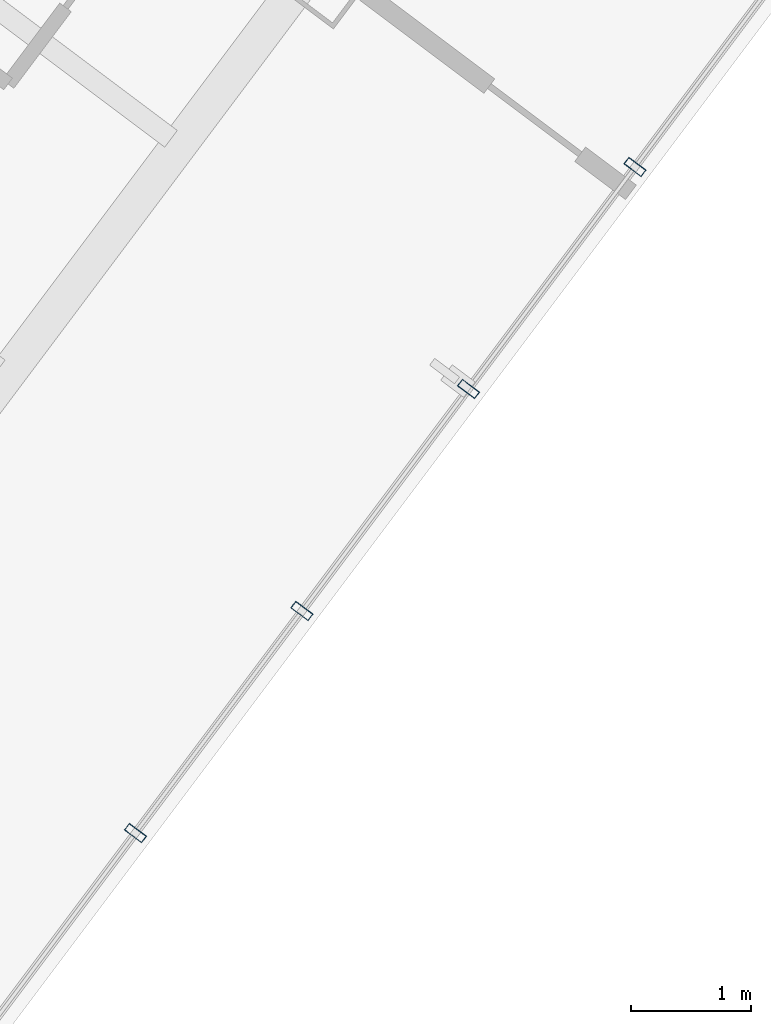
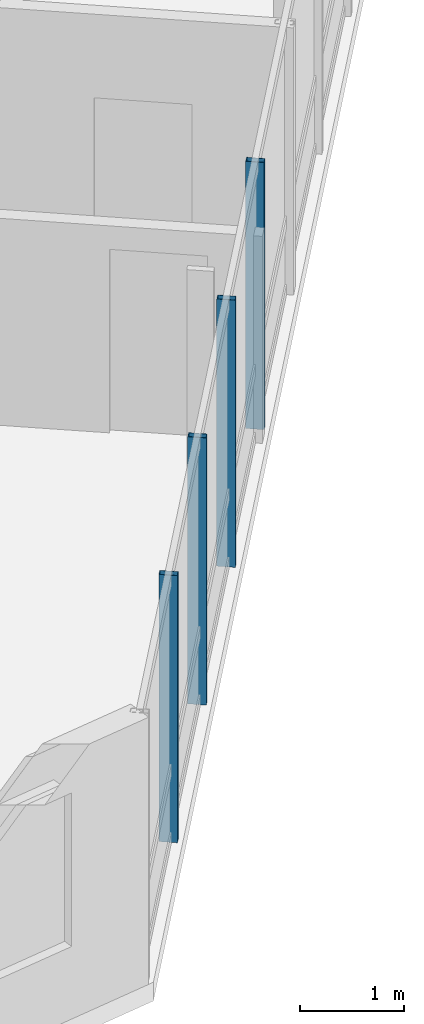
# One storey, part 8 of 31: 4 members, 1 element without a shape of its own.
"""IFC4 building model written with IfcOpenShell, lengths in metres."""

from ifc_helpers import new_model, si_unit, direction, frame, origin, origin_2d, place, context, subcontext, project, spatial, hollow_rectangle, extrude, material, layer, layer_set, material_profile, profile_set, type_object, element, aggregate, save


model = new_model("IFC4")

# Units and contexts
model_context = context("Model", 3, precision=1e-05, world=origin(), true_north=direction((0.0, 1.0)))
body_context = subcontext(model_context, "Body", "Model", "MODEL_VIEW")
ifc_project = project(units=[si_unit("LENGTHUNIT", "METRE"), si_unit("AREAUNIT", "SQUARE_METRE"), si_unit("VOLUMEUNIT", "CUBIC_METRE"), si_unit("PLANEANGLEUNIT", "RADIAN"), si_unit("MASSUNIT", "GRAM", prefix="KILO")], contexts=[model_context])

# Site, building, storey
site_placement = place(None, origin())
site = spatial("IfcSite", under=ifc_project, at=site_placement, CompositionType="ELEMENT")
building_placement = place(site_placement, origin())
building = spatial("IfcBuilding", under=site, at=building_placement, Name="Hatsunagi Terrace Concourse", CompositionType="ELEMENT")
storey_placement = place(building_placement, frame((0.0, 0.0, 81.300048828125)))
storey = spatial("IfcBuildingStorey", under=building, at=storey_placement, Name="L21", CompositionType="ELEMENT", Elevation=81.300048828125)

# Curtain wall, members
ifc_material_1 = material(Name="Anodised Aluminium Alloy 6063-T5", Category="aluminium")
ifc_layer = layer(ifc_material_1, 0.199951171875)
ifc_layer_set = layer_set([ifc_layer], Name="HotelFacade_CW02")
curtain_wall_type = type_object("IfcCurtainWallType", Name="HotelFacade_CW02", PredefinedType="NOTDEFINED", material=ifc_layer_set)
curtain_wall_placement = place(storey_placement, origin())
curtain_wall = element("IfcCurtainWall", 1, at=curtain_wall_placement, inside=storey, type_object=curtain_wall_type, Name="Unitised Curtain Wall CW-02 CW-L21-03", PredefinedType="NOTDEFINED")
ifc_material_2 = material(Name="Anodised Aluminium Alloy 6063-T5", Category="aluminium")
ifc_material_profile = material_profile(ifc_material_2, hollow_rectangle(XDim=0.070068359375, YDim=0.179931640625, WallThickness=0.00390625, at=origin_2d()), Name="ALU-MUL-180x70x4")
ifc_profile_set = profile_set([ifc_material_profile], Name="Anodised Aluminium Alloy 6063-T5")
member_type = type_object("IfcMemberType", Name="CurtainWallMullion_180x70", PredefinedType="MULLION", material=ifc_profile_set)
member_1_placement = place(storey_placement, frame((62.132080078125, 10.3759765625, 0.0), z_axis=(0.0, 0.0, 1.0), x_axis=(-0.599969314634, -0.800023013105, 0.0)))
member_1 = element("IfcMember", 2, at=member_1_placement, type_object=member_type, Name="Curtain Wall Mullion MUL-02", PredefinedType="MULLION", context=body_context, shape_type="SweptSolid", body=[
    extrude(hollow_rectangle(XDim=0.070068359375, YDim=0.179931640625, WallThickness=0.00390625, at=origin_2d()), origin(), (0.0, 0.0, 1.0), 3.1298828125),
])
member_2_placement = place(storey_placement, frame((60.739990234375, 8.51904296875, 0.0), z_axis=(0.0, 0.0, 1.0), x_axis=(-0.599969314634, -0.800023013105, 0.0)))
member_2 = element("IfcMember", 3, at=member_2_placement, type_object=member_type, Name="Curtain Wall Mullion MUL-02", PredefinedType="MULLION", context=body_context, shape_type="SweptSolid", body=[
    extrude(hollow_rectangle(XDim=0.070068359375, YDim=0.179931640625, WallThickness=0.00390625, at=origin_2d()), origin(), (0.0, 0.0, 1.0), 3.1298828125),
])
member_3_placement = place(storey_placement, frame((59.346923828125, 6.6630859375, 0.0), z_axis=(0.0, 0.0, 1.0), x_axis=(-0.599969314634, -0.800023013105, 0.0)))
member_3 = element("IfcMember", 4, at=member_3_placement, type_object=member_type, Name="Curtain Wall Mullion MUL-02", PredefinedType="MULLION", context=body_context, shape_type="SweptSolid", body=[
    extrude(hollow_rectangle(XDim=0.070068359375, YDim=0.179931640625, WallThickness=0.00390625, at=origin_2d()), origin(), (0.0, 0.0, 1.0), 3.1298828125),
])
member_4_placement = place(storey_placement, frame((57.955078125, 4.805908203125, 0.0), z_axis=(0.0, 0.0, 1.0), x_axis=(-0.599969314634, -0.800023013105, 0.0)))
member_4 = element("IfcMember", 5, at=member_4_placement, type_object=member_type, Name="Curtain Wall Mullion MUL-02", PredefinedType="MULLION", context=body_context, shape_type="SweptSolid", body=[
    extrude(hollow_rectangle(XDim=0.070068359375, YDim=0.179931640625, WallThickness=0.00390625, at=origin_2d()), origin(), (0.0, 0.0, 1.0), 3.1298828125),
])
aggregate(curtain_wall, [member_1, member_2, member_3, member_4])

save(model, "model.ifc")
